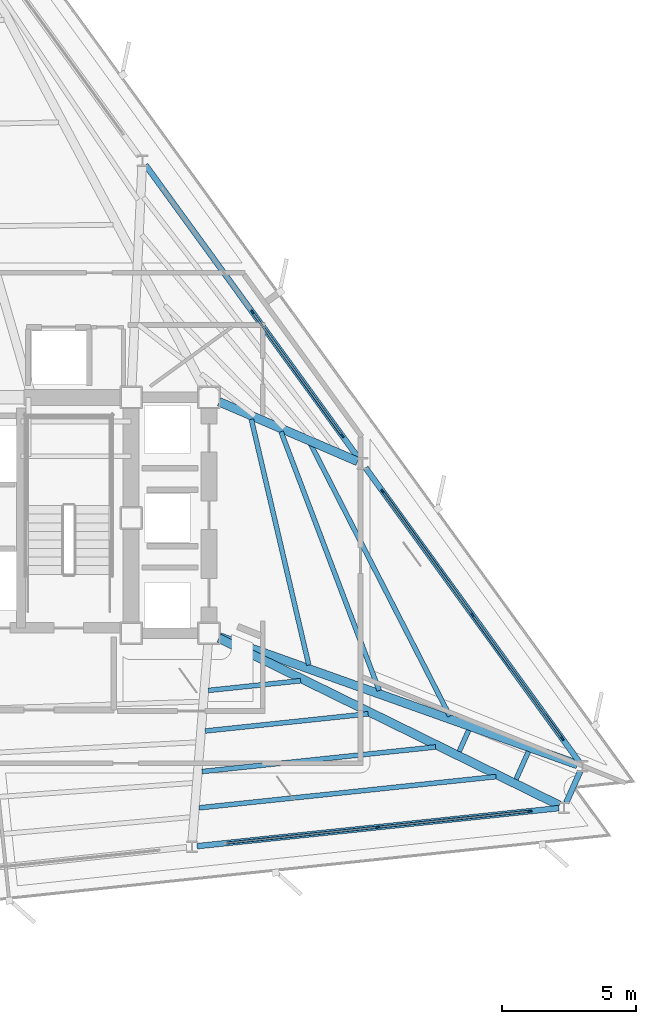
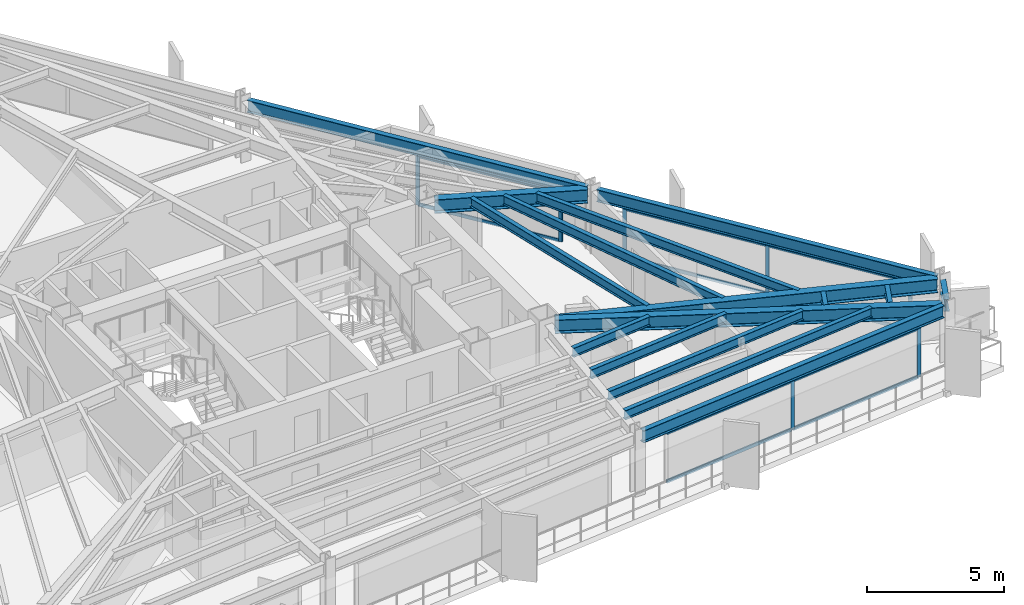
# One storey, part 5 of 12: 17 members, 16 beams, 3 elements without a shape of their own.
"""IFC4 building model written with IfcOpenShell, lengths in metres."""

import ifcopenshell
import ifcopenshell.guid

model = None  # the IFC model being written
_history = None  # IfcOwnerHistory: only IFC2X3 demands one
_inside = {}  # id of a spatial element -> (the spatial element, [elements in it])
_under = {}  # id of a project, library or spatial element -> (it, [spatial elements below it])
_declared = {}  # id of a project -> (the project, [libraries it declares])
_typed = {}  # id of a type object -> (the type object, [elements of that type])
_made_of = {}  # id of a material, layer set ... -> (it, [elements and type objects made of it])


def new_model(schema):
    """Start an empty IFC model of exactly this schema.

    Asked for "IFC4X3", IfcOpenShell would pick the latest addendum, in which some entities
    have other attributes; the version numbers below select the first issue.
    IFC2X3 requires an IfcOwnerHistory on every rooted entity: one is made here for all.
    """
    global model, _history
    if schema == "IFC4X3":
        model = ifcopenshell.file(schema_version=(4, 3, 0, 0))
    else:
        model = ifcopenshell.file(schema=schema)
    _inside.clear()
    _under.clear()
    _declared.clear()
    _typed.clear()
    _made_of.clear()
    _history = None
    if model.schema == "IFC2X3":
        org = make("IfcOrganization", Name="unknown")
        user = make(
            "IfcPersonAndOrganization",
            ThePerson=make("IfcPerson", FamilyName="unknown"),
            TheOrganization=org,
        )
        app = make(
            "IfcApplication",
            ApplicationDeveloper=org,
            Version="unknown",
            ApplicationFullName="unknown",
            ApplicationIdentifier="unknown",
        )
        _history = make(
            "IfcOwnerHistory",
            OwningUser=user,
            OwningApplication=app,
            ChangeAction="ADDED",
            CreationDate=0,
        )
    return model


def make(cls, **values):
    """One entity of the class cls with the attributes given. An attribute that is None is left unset."""
    return model.create_entity(
        cls, **{name: value for name, value in values.items() if value is not None}
    )


def rooted(cls, **values):
    """An entity with a GlobalId (a new one), such as an element, a storey or a relation."""
    return make(cls, GlobalId=ifcopenshell.guid.new(), OwnerHistory=_history, **values)


def si_unit(unit_type, name, prefix=None):
    """IfcSIUnit, for example si_unit("LENGTHUNIT", "METRE", prefix="MILLI")."""
    return make("IfcSIUnit", UnitType=unit_type, Prefix=prefix, Name=name)


def assignment(units):
    """IfcUnitAssignment: the units of a project."""
    return None if units is None else make("IfcUnitAssignment", Units=units)


def point(xyz):
    """IfcCartesianPoint."""
    return None if xyz is None else make("IfcCartesianPoint", Coordinates=xyz)


def direction(xyz):
    """IfcDirection."""
    return None if xyz is None else make("IfcDirection", DirectionRatios=xyz)


def frame(location, z_axis=None, x_axis=None):
    """IfcAxis2Placement3D, a coordinate frame: its origin and axes. An axis left out is left unset."""
    return make(
        "IfcAxis2Placement3D",
        Location=point(location),
        Axis=direction(z_axis),
        RefDirection=direction(x_axis),
    )


def frame_2d(location, x_axis=None):
    """IfcAxis2Placement2D, a coordinate frame in the plane: its origin and x axis."""
    return make(
        "IfcAxis2Placement2D", Location=point(location), RefDirection=direction(x_axis)
    )


def origin():
    """The frame at (0, 0, 0) with its axes left unset."""
    return frame((0.0, 0.0, 0.0))


def origin_2d():
    """The frame at (0, 0) in the plane with its x axis left unset."""
    return frame_2d((0.0, 0.0))


def place(relative_to, where):
    """IfcLocalPlacement: puts the frame where relative to a parent placement (None: the world)."""
    return make(
        "IfcLocalPlacement", PlacementRelTo=relative_to, RelativePlacement=where
    )


def context(
    kind, dimensions, precision=None, world=None, true_north=None, identifier=None
):
    """IfcGeometricRepresentationContext, for example the 3D "Model" context."""
    return make(
        "IfcGeometricRepresentationContext",
        ContextIdentifier=identifier,
        ContextType=kind,
        CoordinateSpaceDimension=dimensions,
        Precision=precision,
        WorldCoordinateSystem=world,
        TrueNorth=true_north,
    )


def subcontext(parent, identifier, kind, view, scale=None):
    """IfcGeometricRepresentationSubContext, for example "Body" below "Model"."""
    return make(
        "IfcGeometricRepresentationSubContext",
        ContextIdentifier=identifier,
        ContextType=kind,
        ParentContext=parent,
        TargetScale=scale,
        TargetView=view,
    )


def project(units=None, contexts=None):
    """IfcProject with its units and contexts."""
    return rooted(
        "IfcProject",
        Name="project",
        RepresentationContexts=contexts,
        UnitsInContext=assignment(units),
    )


def spatial(cls, under=None, at=None, **own):
    """A site, building, storey or space (cls), placed at a placement, below another one or the project."""
    s = rooted(cls, ObjectPlacement=at, **own)
    if under is not None:
        _under.setdefault(under.id(), (under, []))[1].append(s)
    return s


def profile(cls, at=None, kind="AREA", **sizes):
    """A parametric profile (cls). Its sizes go by their IFC names, for example OverallWidth=200.0."""
    return make(cls, ProfileType=kind, Position=at, **sizes)


def rectangle(**sizes):
    """IfcRectangleProfileDef."""
    return profile("IfcRectangleProfileDef", **sizes)


def i_section(**sizes):
    """IfcIShapeProfileDef."""
    return profile("IfcIShapeProfileDef", **sizes)


def extrude(swept, where, along, depth):
    """IfcExtrudedAreaSolid: the profile swept, set in the frame where, extruded along a direction by depth."""
    return make(
        "IfcExtrudedAreaSolid",
        SweptArea=swept,
        Position=where,
        ExtrudedDirection=direction(along),
        Depth=depth,
    )


def shape(context_of_items, identifier, shape_type, items):
    """IfcShapeRepresentation: the items that make up one representation, for example the "Body"."""
    return make(
        "IfcShapeRepresentation",
        ContextOfItems=context_of_items,
        RepresentationIdentifier=identifier,
        RepresentationType=shape_type,
        Items=items,
    )


def material(Name=None, Category=None):
    """IfcMaterial."""
    return make("IfcMaterial", Name=Name, Category=Category)


def layer(
    of_material, thickness, ventilated=None, Name=None, Category=None, Priority=None
):
    """IfcMaterialLayer: one layer of a wall or slab, of a material (None: an air gap)."""
    return make(
        "IfcMaterialLayer",
        Material=of_material,
        LayerThickness=thickness,
        IsVentilated=ventilated,
        Name=Name,
        Category=Category,
        Priority=Priority,
    )


def layer_set(layers, Name=None):
    """IfcMaterialLayerSet."""
    return make("IfcMaterialLayerSet", MaterialLayers=layers, LayerSetName=Name)


def material_profile(
    of_material, cross_section, Name=None, Category=None, Priority=None
):
    """IfcMaterialProfile: a cross section and its material."""
    return make(
        "IfcMaterialProfile",
        Name=Name,
        Material=of_material,
        Profile=cross_section,
        Priority=Priority,
        Category=Category,
    )


def profile_set(profiles, Name=None, composite=None):
    """IfcMaterialProfileSet."""
    return make(
        "IfcMaterialProfileSet",
        Name=Name,
        MaterialProfiles=profiles,
        CompositeProfile=composite,
    )


def made_of(thing, what):
    """Note that an element or type object is made of a material, layer set ...; save() writes the relation."""
    if what is not None:
        _made_of.setdefault(what.id(), (what, []))[1].append(thing)
    return thing


def type_object(cls, material=None, **own):
    """A type object (cls), such as IfcWallType, which elements share."""
    return made_of(rooted(cls, **own), material)


def element(
    cls,
    number,
    at=None,
    inside=None,
    cuts=None,
    type_object=None,
    material=None,
    context=None,
    identifier="Body",
    shape_type=None,
    held_by="IfcProductDefinitionShape",
    body=None,
    shapes=None,
    **own,
):
    """One element of the class cls, such as IfcWall. Its Tag is "e" and its number.

    at: its placement. inside: the storey or other place that contains it. cuts: it is an
    opening in that element (IfcRelVoidsElement). A single representation is given by context,
    identifier, shape_type and body (its items); several are given by shapes. held_by: the class
    of the entity that holds the representations. save() writes the other relations.
    """
    e = rooted(cls, Tag="e%d" % number, ObjectPlacement=at, **own)
    if body is not None:
        shapes = [shape(context, identifier, shape_type, body)]
    if shapes is not None:
        e.Representation = make(held_by, Representations=shapes)
    if inside is not None:
        _inside.setdefault(inside.id(), (inside, []))[1].append(e)
    if cuts is not None:
        rooted(
            "IfcRelVoidsElement", RelatingBuildingElement=cuts, RelatedOpeningElement=e
        )
    if type_object is not None:
        _typed.setdefault(type_object.id(), (type_object, []))[1].append(e)
    return made_of(e, material)


def aggregate(whole, parts):
    """IfcRelAggregates: a whole, such as a stair, and the parts it consists of."""
    return rooted("IfcRelAggregates", RelatingObject=whole, RelatedObjects=parts)


def save(model, path):
    """Write the relations noted so far, then the file.

    IfcRelAggregates (storeys below a building ...), IfcRelContainedInSpatialStructure (elements
    in a storey), IfcRelDefinesByType, IfcRelAssociatesMaterial and IfcRelDeclares: one each for
    every whole, place, type object, material and project.
    """
    for whole, parts in _under.values():
        aggregate(whole, parts)
    for where, things in _inside.values():
        rooted(
            "IfcRelContainedInSpatialStructure",
            RelatedElements=things,
            RelatingStructure=where,
        )
    for kind, things in _typed.values():
        rooted("IfcRelDefinesByType", RelatedObjects=things, RelatingType=kind)
    for what, things in _made_of.values():
        rooted("IfcRelAssociatesMaterial", RelatedObjects=things, RelatingMaterial=what)
    for by, libraries in _declared.values():
        rooted("IfcRelDeclares", RelatingContext=by, RelatedDefinitions=libraries)
    model.write(path)


model = new_model("IFC4")

# Units and contexts
model_context = context("Model", 3, precision=1e-05, world=origin(), true_north=direction((0.0, 1.0)))
body_context = subcontext(model_context, "Body", "Model", "MODEL_VIEW")
ifc_project = project(units=[si_unit("LENGTHUNIT", "METRE"), si_unit("AREAUNIT", "SQUARE_METRE"), si_unit("VOLUMEUNIT", "CUBIC_METRE"), si_unit("PLANEANGLEUNIT", "RADIAN"), si_unit("MASSUNIT", "GRAM", prefix="KILO")], contexts=[model_context])

# Site, building, storey
site_placement = place(None, origin())
site = spatial("IfcSite", under=ifc_project, at=site_placement, CompositionType="ELEMENT")
building_placement = place(site_placement, origin())
building = spatial("IfcBuilding", under=site, at=building_placement, Name="Rocaltana Carrier Exchange", CompositionType="ELEMENT")
storey_placement = place(building_placement, frame((0.0, 0.0, 110.719970703125)))
storey = spatial("IfcBuildingStorey", under=building, at=storey_placement, Name="L34", CompositionType="ELEMENT", Elevation=110.719970703125)

# Curtain wall, members
ifc_material_1 = material(Name="Aluminium 6063-T6", Category="aluminium")
ifc_layer = layer(ifc_material_1, 0.14990234375)
ifc_layer_set = layer_set([ifc_layer], Name="Aluminium 6063-T6")
curtain_wall_type = type_object("IfcCurtainWallType", Name="Mid-Tower Unitised Curtain Wall CW-03", PredefinedType="NOTDEFINED", material=ifc_layer_set)
curtain_wall_1_placement = place(storey_placement, origin())
curtain_wall_1 = element("IfcCurtainWall", 1, at=curtain_wall_1_placement, inside=storey, type_object=curtain_wall_type, Name="L34 CW-03 Run CW-L34-F1S1", PredefinedType="NOTDEFINED")
ifc_material_2 = material(Name="Aluminium 6063-T6", Category="aluminium")
ifc_material_profile_1 = material_profile(ifc_material_2, rectangle(XDim=0.06005859375, YDim=0.14990234375, at=origin_2d()), Name="AL-60X150")
ifc_profile_set_1 = profile_set([ifc_material_profile_1], Name="Aluminium 6063-T6")
member_type_1 = type_object("IfcMemberType", Name="CW-03 Mullion AL-60X150", PredefinedType="MULLION", material=ifc_profile_set_1)
member_1_placement = place(storey_placement, frame((22.13427734375, -8.23193359375, 0.0), z_axis=(0.0, 0.0, 1.0), x_axis=(-0.809013555195, -0.587789985889, 0.0)))
member_1 = element("IfcMember", 2, at=member_1_placement, type_object=member_type_1, Name="CW-03 mullion 1", PredefinedType="MULLION", context=body_context, shape_type="SweptSolid", body=[
    extrude(rectangle(XDim=0.06005859375, YDim=0.14990234375, at=origin_2d()), origin(), (0.0, 0.0, 1.0), 2.218017578125),
])
member_2_placement = place(storey_placement, frame((18.781982421875, -3.617919921875, 0.0), z_axis=(0.0, 0.0, 1.0), x_axis=(-0.809013555195, -0.587789985889, 0.0)))
member_2 = element("IfcMember", 3, at=member_2_placement, type_object=member_type_1, Name="CW-03 mullion 2", PredefinedType="MULLION", context=body_context, shape_type="SweptSolid", body=[
    extrude(rectangle(XDim=0.06005859375, YDim=0.14990234375, at=origin_2d()), origin(), (0.0, 0.0, 1.0), 2.218017578125),
])
member_3_placement = place(storey_placement, frame((15.429443359375, 0.99609375, 0.0), z_axis=(0.0, 0.0, 1.0), x_axis=(-0.809013555195, -0.587789985889, 0.0)))
member_3 = element("IfcMember", 4, at=member_3_placement, type_object=member_type_1, Name="CW-03 mullion 3", PredefinedType="MULLION", context=body_context, shape_type="SweptSolid", body=[
    extrude(rectangle(XDim=0.06005859375, YDim=0.14990234375, at=origin_2d()), origin(), (0.0, 0.0, 1.0), 2.218017578125),
])

curtain_wall_2_placement = place(storey_placement, origin())
curtain_wall_2 = element("IfcCurtainWall", 5, at=curtain_wall_2_placement, inside=storey, type_object=curtain_wall_type, Name="L34 CW-03 Run CW-L34-F1S2", PredefinedType="NOTDEFINED")
member_4_placement = place(storey_placement, frame((13.9248046875, 3.0673828125, 0.0), z_axis=(0.0, 0.0, 1.0), x_axis=(-0.809013555195, -0.587789985889, 0.0)))
member_4 = element("IfcMember", 6, at=member_4_placement, type_object=member_type_1, Name="CW-03 mullion 1", PredefinedType="MULLION", context=body_context, shape_type="SweptSolid", body=[
    extrude(rectangle(XDim=0.06005859375, YDim=0.14990234375, at=origin_2d()), origin(), (0.0, 0.0, 1.0), 2.218017578125),
])
member_5_placement = place(storey_placement, frame((10.572509765625, 7.681396484375, 0.0), z_axis=(0.0, 0.0, 1.0), x_axis=(-0.809013555195, -0.587789985889, 0.0)))
member_5 = element("IfcMember", 7, at=member_5_placement, type_object=member_type_1, Name="CW-03 mullion 2", PredefinedType="MULLION", context=body_context, shape_type="SweptSolid", body=[
    extrude(rectangle(XDim=0.06005859375, YDim=0.14990234375, at=origin_2d()), origin(), (0.0, 0.0, 1.0), 2.218017578125),
])

curtain_wall_3_placement = place(storey_placement, origin())
curtain_wall_3 = element("IfcCurtainWall", 8, at=curtain_wall_3_placement, inside=storey, type_object=curtain_wall_type, Name="L34 CW-03 Run CW-L34-F3S3", PredefinedType="NOTDEFINED")
member_6_placement = place(storey_placement, frame((15.256103515625, -11.536865234375, 0.0), z_axis=(0.0, 0.0, 1.0), x_axis=(-0.104521806959, 0.994522594952, 0.0)))
member_6 = element("IfcMember", 9, at=member_6_placement, type_object=member_type_1, Name="CW-03 mullion 2", PredefinedType="MULLION", context=body_context, shape_type="SweptSolid", body=[
    extrude(rectangle(XDim=0.06005859375, YDim=0.14990234375, at=origin_2d()), origin(), (0.0, 0.0, 1.0), 2.218017578125),
])
member_7_placement = place(storey_placement, frame((20.92822265625, -10.940673828125, 0.0), z_axis=(0.0, 0.0, 1.0), x_axis=(-0.104521806959, 0.994522594952, 0.0)))
member_7 = element("IfcMember", 10, at=member_7_placement, type_object=member_type_1, Name="CW-03 mullion 3", PredefinedType="MULLION", context=body_context, shape_type="SweptSolid", body=[
    extrude(rectangle(XDim=0.06005859375, YDim=0.14990234375, at=origin_2d()), origin(), (0.0, 0.0, 1.0), 2.218017578125),
])

# Member
ifc_material_3 = material(Name="Aluminium 6063-T6", Category="aluminium")
ifc_material_profile_2 = material_profile(ifc_material_3, rectangle(XDim=0.06005859375, YDim=0.14990234375, at=origin_2d()), Name="AL-60X150")
ifc_profile_set_2 = profile_set([ifc_material_profile_2], Name="Aluminium 6063-T6")
member_type_2 = type_object("IfcMemberType", Name="CW-03 Transom AL-60X150", PredefinedType="USERDEFINED", material=ifc_profile_set_2)
member_8_placement = place(storey_placement, frame((22.11669921875, -8.207763671875, 0.030029296875), z_axis=(-0.587803791035, 0.809003524866, 0.0), x_axis=(-0.809003524866, -0.587803791035, 0.0)))
member_8 = element("IfcMember", 11, at=member_8_placement, type_object=member_type_2, Name="CW-03 transom 1.1", ObjectType="TRANSOM", PredefinedType="USERDEFINED", context=body_context, shape_type="SweptSolid", body=[
    extrude(rectangle(XDim=0.06005859375, YDim=0.14990234375, at=origin_2d()), origin(), (0.0, 0.0, 1.0), 5.643310546875),
])

member_9_placement = place(storey_placement, frame((22.11669921875, -8.207763671875, 2.18798828125), z_axis=(-0.587803791035, 0.809003524866, 0.0), x_axis=(-0.809003524866, -0.587803791035, 0.0)))
member_9 = element("IfcMember", 12, at=member_9_placement, type_object=member_type_2, Name="CW-03 transom 1.2", ObjectType="TRANSOM", PredefinedType="USERDEFINED", context=body_context, shape_type="SweptSolid", body=[
    extrude(rectangle(XDim=0.06005859375, YDim=0.14990234375, at=origin_2d()), origin(), (0.0, 0.0, 1.0), 5.643310546875),
])

member_10_placement = place(storey_placement, frame((18.76416015625, -3.59375, 0.030029296875), z_axis=(-0.587754903167, 0.809039043436, 0.0), x_axis=(-0.809039043436, -0.587754903167, 0.0)))
member_10 = element("IfcMember", 13, at=member_10_placement, type_object=member_type_2, Name="CW-03 transom 2.1", ObjectType="TRANSOM", PredefinedType="USERDEFINED", context=body_context, shape_type="SweptSolid", body=[
    extrude(rectangle(XDim=0.06005859375, YDim=0.14990234375, at=origin_2d()), origin(), (0.0, 0.0, 1.0), 5.643310546875),
])

member_11_placement = place(storey_placement, frame((18.76416015625, -3.59375, 2.18798828125), z_axis=(-0.587754903167, 0.809039043436, 0.0), x_axis=(-0.809039043436, -0.587754903167, 0.0)))
member_11 = element("IfcMember", 14, at=member_11_placement, type_object=member_type_2, Name="CW-03 transom 2.2", ObjectType="TRANSOM", PredefinedType="USERDEFINED", context=body_context, shape_type="SweptSolid", body=[
    extrude(rectangle(XDim=0.06005859375, YDim=0.14990234375, at=origin_2d()), origin(), (0.0, 0.0, 1.0), 5.643310546875),
])

aggregate(curtain_wall_1, [member_1, member_2, member_3, member_8, member_9, member_10, member_11])

member_12_placement = place(storey_placement, frame((13.9072265625, 3.091552734375, 0.030029296875), z_axis=(-0.587803791035, 0.809003524866, 0.0), x_axis=(-0.809003524866, -0.587803791035, 0.0)))
member_12 = element("IfcMember", 15, at=member_12_placement, type_object=member_type_2, Name="CW-03 transom 1.1", ObjectType="TRANSOM", PredefinedType="USERDEFINED", context=body_context, shape_type="SweptSolid", body=[
    extrude(rectangle(XDim=0.06005859375, YDim=0.14990234375, at=origin_2d()), origin(), (0.0, 0.0, 1.0), 5.643310546875),
])

member_13_placement = place(storey_placement, frame((13.9072265625, 3.091552734375, 2.18798828125), z_axis=(-0.587803791035, 0.809003524866, 0.0), x_axis=(-0.809003524866, -0.587803791035, 0.0)))
member_13 = element("IfcMember", 16, at=member_13_placement, type_object=member_type_2, Name="CW-03 transom 1.2", ObjectType="TRANSOM", PredefinedType="USERDEFINED", context=body_context, shape_type="SweptSolid", body=[
    extrude(rectangle(XDim=0.06005859375, YDim=0.14990234375, at=origin_2d()), origin(), (0.0, 0.0, 1.0), 5.643310546875),
])

aggregate(curtain_wall_2, [member_4, member_5, member_12, member_13])

member_14_placement = place(storey_placement, frame((9.614013671875, -12.129638671875, 0.030029296875), z_axis=(0.99452250772, 0.104522636969, 0.0), x_axis=(-0.104522636969, 0.99452250772, 0.0)))
member_14 = element("IfcMember", 17, at=member_14_placement, type_object=member_type_2, Name="CW-03 transom 1.1", ObjectType="TRANSOM", PredefinedType="USERDEFINED", context=body_context, shape_type="SweptSolid", body=[
    extrude(rectangle(XDim=0.06005859375, YDim=0.14990234375, at=origin_2d()), origin(), (0.0, 0.0, 1.0), 5.643310546875),
])

member_15_placement = place(storey_placement, frame((9.614013671875, -12.129638671875, 2.18798828125), z_axis=(0.99452250772, 0.104522636969, 0.0), x_axis=(-0.104522636969, 0.99452250772, 0.0)))
member_15 = element("IfcMember", 18, at=member_15_placement, type_object=member_type_2, Name="CW-03 transom 1.2", ObjectType="TRANSOM", PredefinedType="USERDEFINED", context=body_context, shape_type="SweptSolid", body=[
    extrude(rectangle(XDim=0.06005859375, YDim=0.14990234375, at=origin_2d()), origin(), (0.0, 0.0, 1.0), 5.643310546875),
])

member_16_placement = place(storey_placement, frame((15.285888671875, -11.53369140625, 0.030029296875), z_axis=(0.994522980333, 0.104518140001, 0.0), x_axis=(-0.104518140001, 0.994522980333, 0.0)))
member_16 = element("IfcMember", 19, at=member_16_placement, type_object=member_type_2, Name="CW-03 transom 2.1", ObjectType="TRANSOM", PredefinedType="USERDEFINED", context=body_context, shape_type="SweptSolid", body=[
    extrude(rectangle(XDim=0.06005859375, YDim=0.14990234375, at=origin_2d()), origin(), (0.0, 0.0, 1.0), 5.6435546875),
])

member_17_placement = place(storey_placement, frame((15.285888671875, -11.53369140625, 2.18798828125), z_axis=(0.994522980333, 0.104518140001, 0.0), x_axis=(-0.104518140001, 0.994522980333, 0.0)))
member_17 = element("IfcMember", 20, at=member_17_placement, type_object=member_type_2, Name="CW-03 transom 2.2", ObjectType="TRANSOM", PredefinedType="USERDEFINED", context=body_context, shape_type="SweptSolid", body=[
    extrude(rectangle(XDim=0.06005859375, YDim=0.14990234375, at=origin_2d()), origin(), (0.0, 0.0, 1.0), 5.6435546875),
])

aggregate(curtain_wall_3, [member_6, member_7, member_14, member_15, member_16, member_17])

# Beams
ifc_material_4 = material(Name="Steel S355", Category="steel")
ifc_material_profile_3 = material_profile(ifc_material_4, i_section(OverallWidth=0.179931640625, OverallDepth=0.4130859375, WebThickness=0.009765625, FlangeThickness=0.01611328125, FilletRadius=0.012939453125, at=origin_2d()), Name="W16X50")
ifc_profile_set_3 = profile_set([ifc_material_profile_3], Name="Steel S355")
beam_type_1 = type_object("IfcBeamType", Name="Floor Joist W16X50", PredefinedType="JOIST", material=ifc_profile_set_3)
beam_1_placement = place(storey_placement, frame((12.67724609375, -5.489501953125, 2.58154296875), z_axis=(-0.227766297883, 0.973715827924, 0.0), x_axis=(-0.973715827924, -0.227766297883, 0.0)))
element("IfcBeam", 21, at=beam_1_placement, inside=storey, type_object=beam_type_1, Name="FJ-L34-01-1", PredefinedType="JOIST", context=body_context, shape_type="SweptSolid", body=[
    extrude(i_section(OverallWidth=0.179931640625, OverallDepth=0.4130859375, WebThickness=0.009765625, FlangeThickness=0.01611328125, FilletRadius=0.012939453125, at=origin_2d()), origin(), (0.0, 0.0, 1.0), 9.418701171875),
])
beam_2_placement = place(storey_placement, frame((15.305419921875, -6.439208984375, 2.58154296875), z_axis=(-0.35483732757, 0.934928056571, 0.0), x_axis=(-0.934928056571, -0.35483732757, 0.0)))
element("IfcBeam", 22, at=beam_2_placement, inside=storey, type_object=beam_type_1, Name="FJ-L34-01-2", PredefinedType="JOIST", context=body_context, shape_type="SweptSolid", body=[
    extrude(i_section(OverallWidth=0.179931640625, OverallDepth=0.4130859375, WebThickness=0.009765625, FlangeThickness=0.01611328125, FilletRadius=0.012939453125, at=origin_2d()), origin(), (0.0, 0.0, 1.0), 10.330078125),
])
beam_3_placement = place(storey_placement, frame((17.937744140625, -7.39013671875, 2.58154296875), z_axis=(-0.455649490969, 0.890159278657, 0.0), x_axis=(-0.890159278657, -0.455649490969, 0.0)))
element("IfcBeam", 23, at=beam_3_placement, inside=storey, type_object=beam_type_1, Name="FJ-L34-01-3", PredefinedType="JOIST", context=body_context, shape_type="SweptSolid", body=[
    extrude(i_section(OverallWidth=0.179931640625, OverallDepth=0.4130859375, WebThickness=0.009765625, FlangeThickness=0.01611328125, FilletRadius=0.012939453125, at=origin_2d()), origin(), (0.0, 0.0, 1.0), 11.398681640625),
])
beam_4_placement = place(storey_placement, frame((8.9326171875, -6.434814453125, 2.58154296875), z_axis=(0.994514730504, 0.104596609936, 0.0), x_axis=(-0.104596609936, 0.994514730504, 0.0)))
element("IfcBeam", 24, at=beam_4_placement, inside=storey, type_object=beam_type_1, Name="FJ-L34-11-1", PredefinedType="JOIST", context=body_context, shape_type="SweptSolid", body=[
    extrude(i_section(OverallWidth=0.179931640625, OverallDepth=0.4130859375, WebThickness=0.009765625, FlangeThickness=0.01611328125, FilletRadius=0.012939453125, at=origin_2d()), origin(), (0.0, 0.0, 1.0), 3.459228515625),
])
beam_5_placement = place(storey_placement, frame((8.811279296875, -7.948486328125, 2.58154296875), z_axis=(0.994518139026, 0.104564196304, 0.0), x_axis=(-0.104564196304, 0.994518139026, 0.0)))
element("IfcBeam", 25, at=beam_5_placement, inside=storey, type_object=beam_type_1, Name="FJ-L34-11-2", PredefinedType="JOIST", context=body_context, shape_type="SweptSolid", body=[
    extrude(i_section(OverallWidth=0.179931640625, OverallDepth=0.4130859375, WebThickness=0.009765625, FlangeThickness=0.01611328125, FilletRadius=0.012939453125, at=origin_2d()), origin(), (0.0, 0.0, 1.0), 6.112548828125),
])
beam_6_placement = place(storey_placement, frame((8.68994140625, -9.4619140625, 2.58154296875), z_axis=(0.994522683524, 0.104520964191, 0.0), x_axis=(-0.104520964191, 0.994522683524, 0.0)))
element("IfcBeam", 26, at=beam_6_placement, inside=storey, type_object=beam_type_1, Name="FJ-L34-11-3", PredefinedType="JOIST", context=body_context, shape_type="SweptSolid", body=[
    extrude(i_section(OverallWidth=0.179931640625, OverallDepth=0.4130859375, WebThickness=0.009765625, FlangeThickness=0.01611328125, FilletRadius=0.012939453125, at=origin_2d()), origin(), (0.0, 0.0, 1.0), 8.766357421875),
])
beam_7_placement = place(storey_placement, frame((8.581298828125, -10.81640625, 2.58154296875), z_axis=(0.994521531783, 0.104531922494, 0.0), x_axis=(-0.104531922494, 0.994521531783, 0.0)))
element("IfcBeam", 27, at=beam_7_placement, inside=storey, type_object=beam_type_1, Name="FJ-L34-11-4", PredefinedType="JOIST", context=body_context, shape_type="SweptSolid", body=[
    extrude(i_section(OverallWidth=0.179931640625, OverallDepth=0.4130859375, WebThickness=0.009765625, FlangeThickness=0.01611328125, FilletRadius=0.012939453125, at=origin_2d()), origin(), (0.0, 0.0, 1.0), 11.140625),
])
beam_8_placement = place(storey_placement, frame((18.289306640625, -8.71240234375, 2.58154296875), z_axis=(0.406686773762, 0.913567659261, 0.0), x_axis=(-0.913567659261, 0.406686773762, 0.0)))
element("IfcBeam", 28, at=beam_8_placement, inside=storey, type_object=beam_type_1, Name="FJ-L34-12-3", PredefinedType="JOIST", context=body_context, shape_type="SweptSolid", body=[
    extrude(i_section(OverallWidth=0.179931640625, OverallDepth=0.4130859375, WebThickness=0.009765625, FlangeThickness=0.01611328125, FilletRadius=0.012939453125, at=origin_2d()), origin(), (0.0, 0.0, 1.0), 0.867431640625),
])
beam_9_placement = place(storey_placement, frame((20.409423828125, -9.75341796875, 2.58154296875), z_axis=(0.40683553357, 0.913501422344, 0.0), x_axis=(-0.913501422344, 0.40683553357, 0.0)))
element("IfcBeam", 29, at=beam_9_placement, inside=storey, type_object=beam_type_1, Name="FJ-L34-12-4", PredefinedType="JOIST", context=body_context, shape_type="SweptSolid", body=[
    extrude(i_section(OverallWidth=0.179931640625, OverallDepth=0.4130859375, WebThickness=0.009765625, FlangeThickness=0.01611328125, FilletRadius=0.012939453125, at=origin_2d()), origin(), (0.0, 0.0, 1.0), 1.13720703125),
])
ifc_material_5 = material(Name="Steel S355", Category="steel")
ifc_material_profile_4 = material_profile(ifc_material_5, i_section(OverallWidth=0.323974609375, OverallDepth=0.611083984375, WebThickness=0.0126953125, FlangeThickness=0.01904296875, FilletRadius=0.01611328125, at=origin_2d()), Name="W24X104")
ifc_profile_set_4 = profile_set([ifc_material_profile_4], Name="Steel S355")
beam_type_2 = type_object("IfcBeamType", Name="Radial Girder W24X104", PredefinedType="BEAM", material=ifc_profile_set_4)
beam_10_placement = place(storey_placement, frame((9.3427734375, -4.43994140625, 2.482421875), z_axis=(0.941948954034, -0.335756113861, 0.0), x_axis=(0.335756113861, 0.941948954034, 0.0)))
element("IfcBeam", 30, at=beam_10_placement, inside=storey, type_object=beam_type_2, Name="RG-L34-01", PredefinedType="BEAM", context=body_context, shape_type="SweptSolid", body=[
    extrude(i_section(OverallWidth=0.323974609375, OverallDepth=0.611083984375, WebThickness=0.0126953125, FlangeThickness=0.01904296875, FilletRadius=0.01611328125, at=origin_2d()), origin(), (0.0, 0.0, 1.0), 14.1806640625),
])
beam_11_placement = place(storey_placement, frame((9.3330078125, 4.3349609375, 2.482421875), z_axis=(0.918343410817, -0.395784511836, 0.0), x_axis=(0.395784511836, 0.918343410817, 0.0)))
element("IfcBeam", 31, at=beam_11_placement, inside=storey, type_object=beam_type_2, Name="RG-L34-02", PredefinedType="BEAM", context=body_context, shape_type="SweptSolid", body=[
    extrude(i_section(OverallWidth=0.323974609375, OverallDepth=0.611083984375, WebThickness=0.0126953125, FlangeThickness=0.01904296875, FilletRadius=0.01611328125, at=origin_2d()), origin(), (0.0, 0.0, 1.0), 5.621337890625),
])
beam_12_placement = place(storey_placement, frame((9.32421875, -4.48388671875, 2.482421875), z_axis=(0.897627517293, -0.440754852722, 0.0), x_axis=(0.440754852722, 0.897627517293, 0.0)))
element("IfcBeam", 32, at=beam_12_placement, inside=storey, type_object=beam_type_2, Name="RG-L34-12", PredefinedType="BEAM", context=body_context, shape_type="SweptSolid", body=[
    extrude(i_section(OverallWidth=0.323974609375, OverallDepth=0.611083984375, WebThickness=0.0126953125, FlangeThickness=0.01904296875, FilletRadius=0.01611328125, at=origin_2d()), origin(), (0.0, 0.0, 1.0), 14.1474609375),
])
ifc_material_6 = material(Name="Steel S355", Category="steel")
ifc_material_profile_5 = material_profile(ifc_material_6, i_section(OverallWidth=0.2119140625, OverallDepth=0.5439453125, WebThickness=0.01318359375, FlangeThickness=0.021240234375, FilletRadius=0.014892578125, at=origin_2d()), Name="W21X83")
ifc_profile_set_5 = profile_set([ifc_material_profile_5], Name="Steel S355")
beam_type_3 = type_object("IfcBeamType", Name="Spandrel Edge Beam W21X83", PredefinedType="SPANDREL", material=ifc_profile_set_5)
for number, where, z_axis, x_axis, name in (
    (33, (22.770263671875, -9.107421875, 2.51611328125), (-0.587777981524, 0.809022276847, 0.0), (-0.809022276847, -0.587777981524, 0.0), "SP-L34-01"),
    (34, (14.560791015625, 2.19189453125, 2.51611328125), (-0.587777981524, 0.809022276847, 0.0), (-0.809022276847, -0.587777981524, 0.0), "SP-L34-02"),
    (35, (8.508056640625, -12.24609375, 2.51611328125), (0.99452052486, 0.104541501962, 0.0), (-0.104541501962, 0.99452052486, 0.0), "SP-L34-11"),
):
    element("IfcBeam", number, at=place(storey_placement, frame(where, z_axis=z_axis, x_axis=x_axis)), inside=storey, type_object=beam_type_3, Name=name, PredefinedType="SPANDREL", context=body_context, shape_type="SweptSolid", body=[
        extrude(i_section(OverallWidth=0.2119140625, OverallDepth=0.5439453125, WebThickness=0.01318359375, FlangeThickness=0.021240234375, FilletRadius=0.014892578125, at=origin_2d()), origin(), (0.0, 0.0, 1.0), 13.57080078125),
    ])
beam_13_placement = place(storey_placement, frame((22.28173828125, -10.6259765625, 2.51611328125), z_axis=(0.40684129116, 0.913498858131, 0.0), x_axis=(-0.913498858131, 0.40684129116, 0.0)))
element("IfcBeam", 36, at=beam_13_placement, inside=storey, type_object=beam_type_3, Name="SP-L34-12", PredefinedType="SPANDREL", context=body_context, shape_type="SweptSolid", body=[
    extrude(i_section(OverallWidth=0.2119140625, OverallDepth=0.5439453125, WebThickness=0.01318359375, FlangeThickness=0.021240234375, FilletRadius=0.014892578125, at=origin_2d()), origin(), (0.0, 0.0, 1.0), 1.2890625),
])

save(model, "model.ifc")
